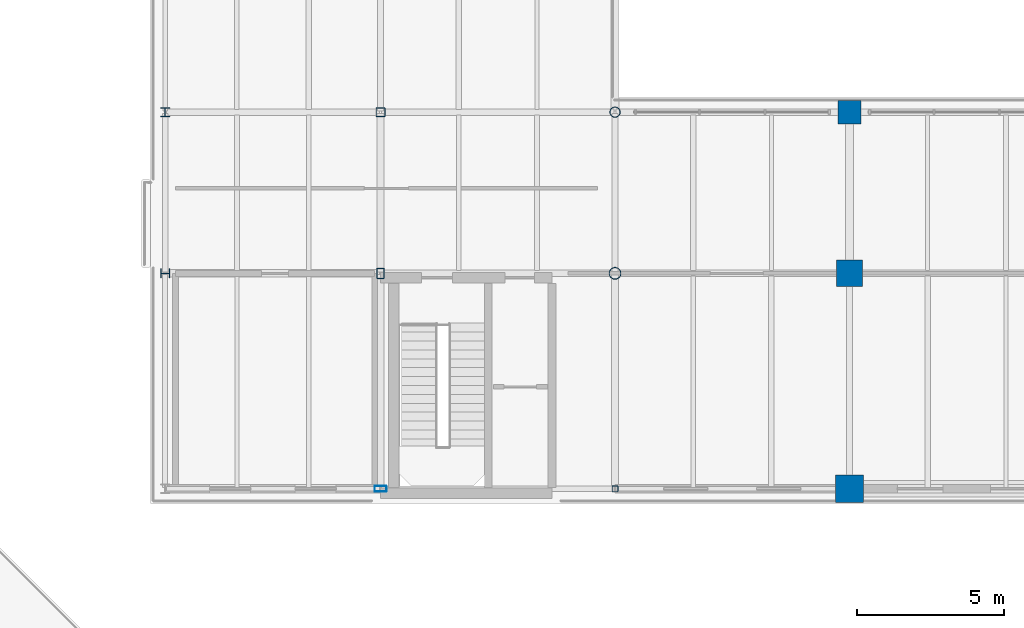
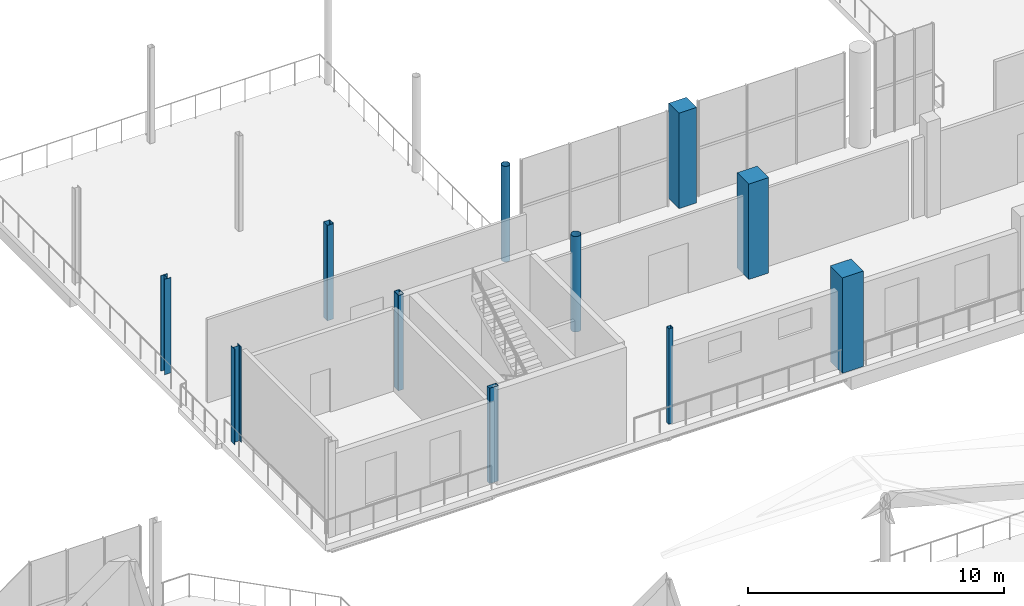
# One storey, part 16 of 70: 11 columns.
"""IFC4 building model written with IfcOpenShell, lengths in metres."""

import ifcopenshell
import ifcopenshell.guid

model = None  # the IFC model being written
_history = None  # IfcOwnerHistory: only IFC2X3 demands one
_inside = {}  # id of a spatial element -> (the spatial element, [elements in it])
_under = {}  # id of a project, library or spatial element -> (it, [spatial elements below it])
_declared = {}  # id of a project -> (the project, [libraries it declares])
_typed = {}  # id of a type object -> (the type object, [elements of that type])
_made_of = {}  # id of a material, layer set ... -> (it, [elements and type objects made of it])


def new_model(schema):
    """Start an empty IFC model of exactly this schema.

    Asked for "IFC4X3", IfcOpenShell would pick the latest addendum, in which some entities
    have other attributes; the version numbers below select the first issue.
    IFC2X3 requires an IfcOwnerHistory on every rooted entity: one is made here for all.
    """
    global model, _history
    if schema == "IFC4X3":
        model = ifcopenshell.file(schema_version=(4, 3, 0, 0))
    else:
        model = ifcopenshell.file(schema=schema)
    _inside.clear()
    _under.clear()
    _declared.clear()
    _typed.clear()
    _made_of.clear()
    _history = None
    if model.schema == "IFC2X3":
        org = make("IfcOrganization", Name="unknown")
        user = make(
            "IfcPersonAndOrganization",
            ThePerson=make("IfcPerson", FamilyName="unknown"),
            TheOrganization=org,
        )
        app = make(
            "IfcApplication",
            ApplicationDeveloper=org,
            Version="unknown",
            ApplicationFullName="unknown",
            ApplicationIdentifier="unknown",
        )
        _history = make(
            "IfcOwnerHistory",
            OwningUser=user,
            OwningApplication=app,
            ChangeAction="ADDED",
            CreationDate=0,
        )
    return model


def make(cls, **values):
    """One entity of the class cls with the attributes given. An attribute that is None is left unset."""
    return model.create_entity(
        cls, **{name: value for name, value in values.items() if value is not None}
    )


def rooted(cls, **values):
    """An entity with a GlobalId (a new one), such as an element, a storey or a relation."""
    return make(cls, GlobalId=ifcopenshell.guid.new(), OwnerHistory=_history, **values)


def si_unit(unit_type, name, prefix=None):
    """IfcSIUnit, for example si_unit("LENGTHUNIT", "METRE", prefix="MILLI")."""
    return make("IfcSIUnit", UnitType=unit_type, Prefix=prefix, Name=name)


def assignment(units):
    """IfcUnitAssignment: the units of a project."""
    return None if units is None else make("IfcUnitAssignment", Units=units)


def point(xyz):
    """IfcCartesianPoint."""
    return None if xyz is None else make("IfcCartesianPoint", Coordinates=xyz)


def direction(xyz):
    """IfcDirection."""
    return None if xyz is None else make("IfcDirection", DirectionRatios=xyz)


def frame(location, z_axis=None, x_axis=None):
    """IfcAxis2Placement3D, a coordinate frame: its origin and axes. An axis left out is left unset."""
    return make(
        "IfcAxis2Placement3D",
        Location=point(location),
        Axis=direction(z_axis),
        RefDirection=direction(x_axis),
    )


def frame_2d(location, x_axis=None):
    """IfcAxis2Placement2D, a coordinate frame in the plane: its origin and x axis."""
    return make(
        "IfcAxis2Placement2D", Location=point(location), RefDirection=direction(x_axis)
    )


def origin():
    """The frame at (0, 0, 0) with its axes left unset."""
    return frame((0.0, 0.0, 0.0))


def origin_2d():
    """The frame at (0, 0) in the plane with its x axis left unset."""
    return frame_2d((0.0, 0.0))


def place(relative_to, where):
    """IfcLocalPlacement: puts the frame where relative to a parent placement (None: the world)."""
    return make(
        "IfcLocalPlacement", PlacementRelTo=relative_to, RelativePlacement=where
    )


def context(
    kind, dimensions, precision=None, world=None, true_north=None, identifier=None
):
    """IfcGeometricRepresentationContext, for example the 3D "Model" context."""
    return make(
        "IfcGeometricRepresentationContext",
        ContextIdentifier=identifier,
        ContextType=kind,
        CoordinateSpaceDimension=dimensions,
        Precision=precision,
        WorldCoordinateSystem=world,
        TrueNorth=true_north,
    )


def subcontext(parent, identifier, kind, view, scale=None):
    """IfcGeometricRepresentationSubContext, for example "Body" below "Model"."""
    return make(
        "IfcGeometricRepresentationSubContext",
        ContextIdentifier=identifier,
        ContextType=kind,
        ParentContext=parent,
        TargetScale=scale,
        TargetView=view,
    )


def project(units=None, contexts=None):
    """IfcProject with its units and contexts."""
    return rooted(
        "IfcProject",
        Name="project",
        RepresentationContexts=contexts,
        UnitsInContext=assignment(units),
    )


def spatial(cls, under=None, at=None, **own):
    """A site, building, storey or space (cls), placed at a placement, below another one or the project."""
    s = rooted(cls, ObjectPlacement=at, **own)
    if under is not None:
        _under.setdefault(under.id(), (under, []))[1].append(s)
    return s


def profile(cls, at=None, kind="AREA", **sizes):
    """A parametric profile (cls). Its sizes go by their IFC names, for example OverallWidth=200.0."""
    return make(cls, ProfileType=kind, Position=at, **sizes)


def rectangle(**sizes):
    """IfcRectangleProfileDef."""
    return profile("IfcRectangleProfileDef", **sizes)


def hollow_rectangle(**sizes):
    """IfcRectangleHollowProfileDef."""
    return profile("IfcRectangleHollowProfileDef", **sizes)


def hollow_circle(**sizes):
    """IfcCircleHollowProfileDef."""
    return profile("IfcCircleHollowProfileDef", **sizes)


def i_section(**sizes):
    """IfcIShapeProfileDef."""
    return profile("IfcIShapeProfileDef", **sizes)


def extrude(swept, where, along, depth):
    """IfcExtrudedAreaSolid: the profile swept, set in the frame where, extruded along a direction by depth."""
    return make(
        "IfcExtrudedAreaSolid",
        SweptArea=swept,
        Position=where,
        ExtrudedDirection=direction(along),
        Depth=depth,
    )


def shape(context_of_items, identifier, shape_type, items):
    """IfcShapeRepresentation: the items that make up one representation, for example the "Body"."""
    return make(
        "IfcShapeRepresentation",
        ContextOfItems=context_of_items,
        RepresentationIdentifier=identifier,
        RepresentationType=shape_type,
        Items=items,
    )


def material(Name=None, Category=None):
    """IfcMaterial."""
    return make("IfcMaterial", Name=Name, Category=Category)


def material_profile(
    of_material, cross_section, Name=None, Category=None, Priority=None
):
    """IfcMaterialProfile: a cross section and its material."""
    return make(
        "IfcMaterialProfile",
        Name=Name,
        Material=of_material,
        Profile=cross_section,
        Priority=Priority,
        Category=Category,
    )


def profile_set(profiles, Name=None, composite=None):
    """IfcMaterialProfileSet."""
    return make(
        "IfcMaterialProfileSet",
        Name=Name,
        MaterialProfiles=profiles,
        CompositeProfile=composite,
    )


def made_of(thing, what):
    """Note that an element or type object is made of a material, layer set ...; save() writes the relation."""
    if what is not None:
        _made_of.setdefault(what.id(), (what, []))[1].append(thing)
    return thing


def type_object(cls, material=None, **own):
    """A type object (cls), such as IfcWallType, which elements share."""
    return made_of(rooted(cls, **own), material)


def element(
    cls,
    number,
    at=None,
    inside=None,
    cuts=None,
    type_object=None,
    material=None,
    context=None,
    identifier="Body",
    shape_type=None,
    held_by="IfcProductDefinitionShape",
    body=None,
    shapes=None,
    **own,
):
    """One element of the class cls, such as IfcWall. Its Tag is "e" and its number.

    at: its placement. inside: the storey or other place that contains it. cuts: it is an
    opening in that element (IfcRelVoidsElement). A single representation is given by context,
    identifier, shape_type and body (its items); several are given by shapes. held_by: the class
    of the entity that holds the representations. save() writes the other relations.
    """
    e = rooted(cls, Tag="e%d" % number, ObjectPlacement=at, **own)
    if body is not None:
        shapes = [shape(context, identifier, shape_type, body)]
    if shapes is not None:
        e.Representation = make(held_by, Representations=shapes)
    if inside is not None:
        _inside.setdefault(inside.id(), (inside, []))[1].append(e)
    if cuts is not None:
        rooted(
            "IfcRelVoidsElement", RelatingBuildingElement=cuts, RelatedOpeningElement=e
        )
    if type_object is not None:
        _typed.setdefault(type_object.id(), (type_object, []))[1].append(e)
    return made_of(e, material)


def aggregate(whole, parts):
    """IfcRelAggregates: a whole, such as a stair, and the parts it consists of."""
    return rooted("IfcRelAggregates", RelatingObject=whole, RelatedObjects=parts)


def save(model, path):
    """Write the relations noted so far, then the file.

    IfcRelAggregates (storeys below a building ...), IfcRelContainedInSpatialStructure (elements
    in a storey), IfcRelDefinesByType, IfcRelAssociatesMaterial and IfcRelDeclares: one each for
    every whole, place, type object, material and project.
    """
    for whole, parts in _under.values():
        aggregate(whole, parts)
    for where, things in _inside.values():
        rooted(
            "IfcRelContainedInSpatialStructure",
            RelatedElements=things,
            RelatingStructure=where,
        )
    for kind, things in _typed.values():
        rooted("IfcRelDefinesByType", RelatedObjects=things, RelatingType=kind)
    for what, things in _made_of.values():
        rooted("IfcRelAssociatesMaterial", RelatedObjects=things, RelatingMaterial=what)
    for by, libraries in _declared.values():
        rooted("IfcRelDeclares", RelatingContext=by, RelatedDefinitions=libraries)
    model.write(path)


model = new_model("IFC4")

# Units and contexts
model_context = context("Model", 3, precision=1e-05, world=origin(), true_north=direction((0.0, 1.0)))
body_context = subcontext(model_context, "Body", "Model", "MODEL_VIEW")
ifc_project = project(units=[si_unit("LENGTHUNIT", "METRE"), si_unit("AREAUNIT", "SQUARE_METRE"), si_unit("VOLUMEUNIT", "CUBIC_METRE"), si_unit("PLANEANGLEUNIT", "RADIAN"), si_unit("MASSUNIT", "GRAM", prefix="KILO")], contexts=[model_context])

# Site, building, storey
site_placement = place(None, origin())
site = spatial("IfcSite", under=ifc_project, at=site_placement, CompositionType="ELEMENT")
building_placement = place(site_placement, origin())
building = spatial("IfcBuilding", under=site, at=building_placement, Name="Brisemont Oceanarium", CompositionType="ELEMENT")
storey_placement = place(building_placement, frame((0.0, 0.0, 10.199951171875)))
storey = spatial("IfcBuildingStorey", under=building, at=storey_placement, Name="L02", CompositionType="ELEMENT", Elevation=10.199951171875)

# Columns
ifc_material_1 = material(Name="Structural Steel ASTM A500 Gr.C", Category="steel")
ifc_material_profile_1 = material_profile(ifc_material_1, hollow_circle(Radius=0.177978515625, WallThickness=0.01171875, at=origin_2d()), Name="HSS14.000X0.500")
ifc_profile_set_1 = profile_set([ifc_material_profile_1], Name="Structural Steel ASTM A500 Gr.C")
column_type_1 = type_object("IfcColumnType", Name="COL-CHS14", PredefinedType="COLUMN", material=ifc_profile_set_1)
column_1_placement = place(storey_placement, frame((128.0, 93.5, 0.0), z_axis=(0.0, 0.0, 1.0), x_axis=(1.0, 0.0, 0.0)))
element("IfcColumn", 1, at=column_1_placement, inside=storey, type_object=column_type_1, Name="V6 L02 column (2,2)", PredefinedType="COLUMN", context=body_context, shape_type="SweptSolid", body=[
    extrude(hollow_circle(Radius=0.177978515625, WallThickness=0.01171875, at=origin_2d()), origin(), (0.0, 0.0, 1.0), 4.56005859375),
])
ifc_material_2 = material(Name="Structural Steel ASTM A500 Gr.C", Category="steel")
ifc_material_profile_2 = material_profile(ifc_material_2, hollow_circle(Radius=0.202880859375, WallThickness=0.01171875, at=origin_2d()), Name="HSS16.000X0.500")
ifc_profile_set_2 = profile_set([ifc_material_profile_2], Name="Structural Steel ASTM A500 Gr.C")
column_type_2 = type_object("IfcColumnType", Name="COL-CHS16", PredefinedType="COLUMN", material=ifc_profile_set_2)
column_2_placement = place(storey_placement, frame((128.0, 88.0, 0.0), z_axis=(0.0, 0.0, 1.0), x_axis=(0.0, 1.0, 0.0)))
element("IfcColumn", 2, at=column_2_placement, inside=storey, type_object=column_type_2, Name="V6 L02 column (2,1)", PredefinedType="COLUMN", context=body_context, shape_type="SweptSolid", body=[
    extrude(hollow_circle(Radius=0.202880859375, WallThickness=0.01171875, at=origin_2d()), origin(), (0.0, 0.0, 1.0), 4.56005859375),
])
ifc_material_3 = material(Name="Structural Steel ASTM A500 Gr.C", Category="steel")
ifc_material_profile_3 = material_profile(ifc_material_3, hollow_rectangle(XDim=0.304931640625, YDim=0.304931640625, WallThickness=0.01171875, InnerFilletRadius=0.01220703125, OuterFilletRadius=0.02392578125, at=origin_2d()), Name="HSS12X12X1/2")
ifc_profile_set_3 = profile_set([ifc_material_profile_3], Name="Structural Steel ASTM A500 Gr.C")
column_type_3 = type_object("IfcColumnType", Name="COL-HSS12X12", PredefinedType="COLUMN", material=ifc_profile_set_3)
column_3_placement = place(storey_placement, frame((120.0, 93.5, 0.0), z_axis=(0.0, 0.0, 1.0), x_axis=(0.0, 1.0, 0.0)))
element("IfcColumn", 3, at=column_3_placement, inside=storey, type_object=column_type_3, Name="V6 L02 column (1,2)", PredefinedType="COLUMN", context=body_context, shape_type="SweptSolid", body=[
    extrude(hollow_rectangle(XDim=0.304931640625, YDim=0.304931640625, WallThickness=0.01171875, InnerFilletRadius=0.01220703125, OuterFilletRadius=0.02392578125, at=origin_2d()), origin(), (0.0, 0.0, 1.0), 4.56005859375),
])
ifc_material_4 = material(Name="Structural Steel ASTM A500 Gr.C", Category="steel")
ifc_material_profile_4 = material_profile(ifc_material_4, hollow_rectangle(XDim=0.25390625, YDim=0.35595703125, WallThickness=0.01171875, InnerFilletRadius=0.01220703125, OuterFilletRadius=0.02392578125, at=origin_2d()), Name="HSS14X10X1/2")
ifc_profile_set_4 = profile_set([ifc_material_profile_4], Name="Structural Steel ASTM A500 Gr.C")
column_type_4 = type_object("IfcColumnType", Name="COL-HSS14X10", PredefinedType="COLUMN", material=ifc_profile_set_4)
column_4_placement = place(storey_placement, frame((120.0, 88.0, 0.0), z_axis=(0.0, 0.0, 1.0), x_axis=(1.0, 0.0, 0.0)))
element("IfcColumn", 4, at=column_4_placement, inside=storey, type_object=column_type_4, Name="V6 L02 column (1,1)", PredefinedType="COLUMN", context=body_context, shape_type="SweptSolid", body=[
    extrude(hollow_rectangle(XDim=0.25390625, YDim=0.35595703125, WallThickness=0.01171875, InnerFilletRadius=0.01220703125, OuterFilletRadius=0.02392578125, at=origin_2d()), origin(), (0.0, 0.0, 1.0), 4.56005859375),
])
ifc_material_5 = material(Name="Structural Steel ASTM A500 Gr.C", Category="steel")
ifc_material_profile_5 = material_profile(ifc_material_5, hollow_rectangle(XDim=0.202880859375, YDim=0.406005859375, WallThickness=0.01171875, InnerFilletRadius=0.01220703125, OuterFilletRadius=0.02392578125, at=origin_2d()), Name="HSS16X8X1/2")
ifc_profile_set_5 = profile_set([ifc_material_profile_5], Name="Structural Steel ASTM A500 Gr.C")
column_type_5 = type_object("IfcColumnType", Name="COL-HSS16X8", PredefinedType="COLUMN", material=ifc_profile_set_5)
column_5_placement = place(storey_placement, frame((120.0, 80.64990234375, 0.0), z_axis=(0.0, 0.0, 1.0), x_axis=(0.0, 1.0, 0.0)))
element("IfcColumn", 5, at=column_5_placement, inside=storey, type_object=column_type_5, Name="V6 L02 column (1,0)", PredefinedType="COLUMN", context=body_context, shape_type="SweptSolid", body=[
    extrude(hollow_rectangle(XDim=0.202880859375, YDim=0.406005859375, WallThickness=0.01171875, InnerFilletRadius=0.01220703125, OuterFilletRadius=0.02392578125, at=origin_2d()), origin(), (0.0, 0.0, 1.0), 4.56005859375),
])
ifc_material_6 = material(Name="Structural Steel ASTM A500 Gr.C", Category="steel")
ifc_material_profile_6 = material_profile(ifc_material_6, hollow_rectangle(XDim=0.202880859375, YDim=0.202880859375, WallThickness=0.0087890625, InnerFilletRadius=0.009033203125, OuterFilletRadius=0.01806640625, at=origin_2d()), Name="HSS8X8X3/8")
ifc_profile_set_6 = profile_set([ifc_material_profile_6], Name="Structural Steel ASTM A500 Gr.C")
column_type_6 = type_object("IfcColumnType", Name="COL-HSS8X8", PredefinedType="COLUMN", material=ifc_profile_set_6)
column_6_placement = place(storey_placement, frame((128.0, 80.64990234375, 0.0), z_axis=(0.0, 0.0, 1.0), x_axis=(1.0, 0.0, 0.0)))
element("IfcColumn", 6, at=column_6_placement, inside=storey, type_object=column_type_6, Name="V6 L02 column (2,0)", PredefinedType="COLUMN", context=body_context, shape_type="SweptSolid", body=[
    extrude(hollow_rectangle(XDim=0.202880859375, YDim=0.202880859375, WallThickness=0.0087890625, InnerFilletRadius=0.009033203125, OuterFilletRadius=0.01806640625, at=origin_2d()), origin(), (0.0, 0.0, 1.0), 4.56005859375),
])
ifc_material_7 = material(Name="Concrete C40/50", Category="concrete")
ifc_material_profile_7 = material_profile(ifc_material_7, rectangle(XDim=0.800048828125, YDim=0.800048828125, at=origin_2d()), Name="RC-COL-800X800")
ifc_profile_set_7 = profile_set([ifc_material_profile_7], Name="Concrete C40/50")
column_type_7 = type_object("IfcColumnType", Name="COL-RC800", PredefinedType="COLUMN", material=ifc_profile_set_7)
column_7_placement = place(storey_placement, frame((136.0, 93.5, 0.0), z_axis=(0.0, 0.0, 1.0), x_axis=(0.0, 1.0, 0.0)))
element("IfcColumn", 7, at=column_7_placement, inside=storey, type_object=column_type_7, Name="V6 L02 column (3,2)", PredefinedType="COLUMN", context=body_context, shape_type="SweptSolid", body=[
    extrude(rectangle(XDim=0.800048828125, YDim=0.800048828125, at=origin_2d()), origin(), (0.0, 0.0, 1.0), 4.56005859375),
])
ifc_material_8 = material(Name="Concrete C40/50", Category="concrete")
ifc_material_profile_8 = material_profile(ifc_material_8, rectangle(XDim=0.89990234375, YDim=0.89990234375, at=origin_2d()), Name="RC-COL-900X900")
ifc_profile_set_8 = profile_set([ifc_material_profile_8], Name="Concrete C40/50")
column_type_8 = type_object("IfcColumnType", Name="COL-RC900", PredefinedType="COLUMN", material=ifc_profile_set_8)
column_8_placement = place(storey_placement, frame((136.0, 88.0, 0.0), z_axis=(0.0, 0.0, 1.0), x_axis=(1.0, 0.0, 0.0)))
element("IfcColumn", 8, at=column_8_placement, inside=storey, type_object=column_type_8, Name="V6 L02 column (3,1)", PredefinedType="COLUMN", context=body_context, shape_type="SweptSolid", body=[
    extrude(rectangle(XDim=0.89990234375, YDim=0.89990234375, at=origin_2d()), origin(), (0.0, 0.0, 1.0), 4.56005859375),
])
ifc_material_9 = material(Name="Concrete C40/50", Category="concrete")
ifc_material_profile_9 = material_profile(ifc_material_9, rectangle(XDim=0.949951171875, YDim=0.949951171875, at=origin_2d()), Name="RC-COL-950X950")
ifc_profile_set_9 = profile_set([ifc_material_profile_9], Name="Concrete C40/50")
column_type_9 = type_object("IfcColumnType", Name="COL-RC950", PredefinedType="COLUMN", material=ifc_profile_set_9)
column_9_placement = place(storey_placement, frame((136.0, 80.64990234375, 0.0), z_axis=(0.0, 0.0, 1.0), x_axis=(0.0, 1.0, 0.0)))
element("IfcColumn", 9, at=column_9_placement, inside=storey, type_object=column_type_9, Name="V6 L02 column (3,0)", PredefinedType="COLUMN", context=body_context, shape_type="SweptSolid", body=[
    extrude(rectangle(XDim=0.949951171875, YDim=0.949951171875, at=origin_2d()), origin(), (0.0, 0.0, 1.0), 4.56005859375),
])
ifc_material_10 = material(Name="Structural Steel ASTM A992 Gr.50", Category="steel")
ifc_material_profile_10 = material_profile(ifc_material_10, i_section(OverallWidth=0.304931640625, OverallDepth=0.306884765625, WebThickness=0.010009765625, FlangeThickness=0.015380859375, FilletRadius=0.012939453125, at=origin_2d()), Name="W12X65")
ifc_profile_set_10 = profile_set([ifc_material_profile_10], Name="Structural Steel ASTM A992 Gr.50")
column_type_10 = type_object("IfcColumnType", Name="COL-W12X65", PredefinedType="COLUMN", material=ifc_profile_set_10)
column_10_placement = place(storey_placement, frame((112.64990234375, 93.5, 0.0), z_axis=(0.0, 0.0, 1.0), x_axis=(1.0, 0.0, 0.0)))
element("IfcColumn", 10, at=column_10_placement, inside=storey, type_object=column_type_10, Name="V6 L02 column (0,2)", PredefinedType="COLUMN", context=body_context, shape_type="SweptSolid", body=[
    extrude(i_section(OverallWidth=0.304931640625, OverallDepth=0.306884765625, WebThickness=0.010009765625, FlangeThickness=0.015380859375, FilletRadius=0.012939453125, at=origin_2d()), origin(), (0.0, 0.0, 1.0), 4.56005859375),
])
ifc_material_11 = material(Name="Structural Steel ASTM A992 Gr.50", Category="steel")
ifc_material_profile_11 = material_profile(ifc_material_11, i_section(OverallWidth=0.305908203125, OverallDepth=0.31103515625, WebThickness=0.010986328125, FlangeThickness=0.01708984375, FilletRadius=0.012939453125, at=origin_2d()), Name="W12X72")
ifc_profile_set_11 = profile_set([ifc_material_profile_11], Name="Structural Steel ASTM A992 Gr.50")
column_type_11 = type_object("IfcColumnType", Name="COL-W12X72", PredefinedType="COLUMN", material=ifc_profile_set_11)
column_11_placement = place(storey_placement, frame((112.64990234375, 88.0, 0.0), z_axis=(0.0, 0.0, 1.0), x_axis=(0.0, 1.0, 0.0)))
element("IfcColumn", 11, at=column_11_placement, inside=storey, type_object=column_type_11, Name="V6 L02 column (0,1)", PredefinedType="COLUMN", context=body_context, shape_type="SweptSolid", body=[
    extrude(i_section(OverallWidth=0.305908203125, OverallDepth=0.31103515625, WebThickness=0.010986328125, FlangeThickness=0.01708984375, FilletRadius=0.012939453125, at=origin_2d()), origin(), (0.0, 0.0, 1.0), 4.56005859375),
])

save(model, "model.ifc")
